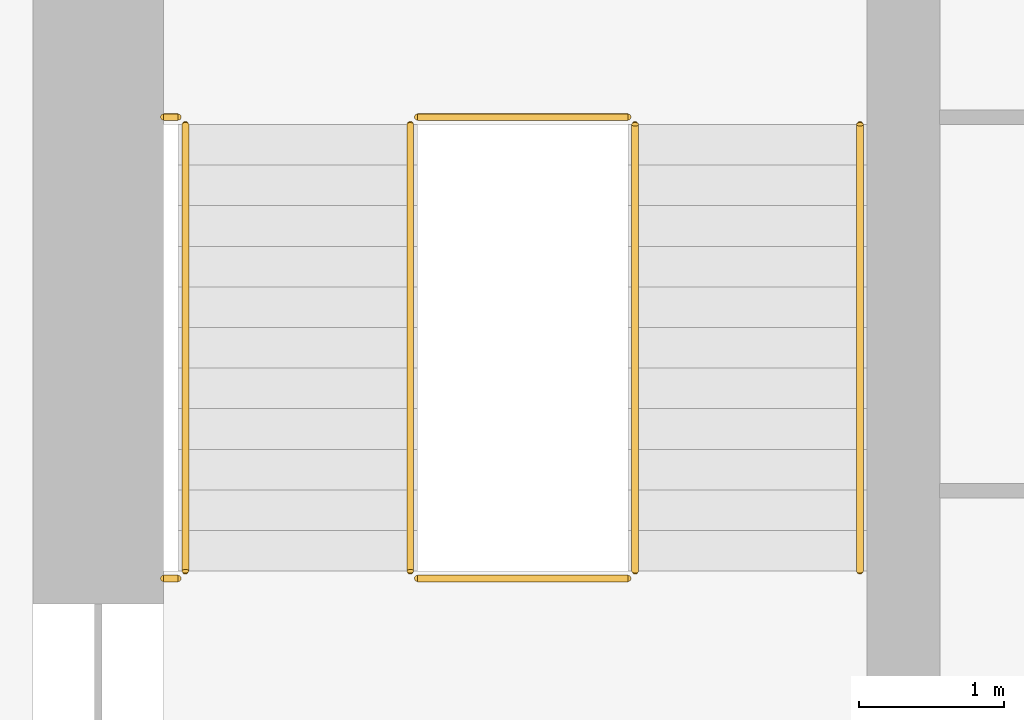
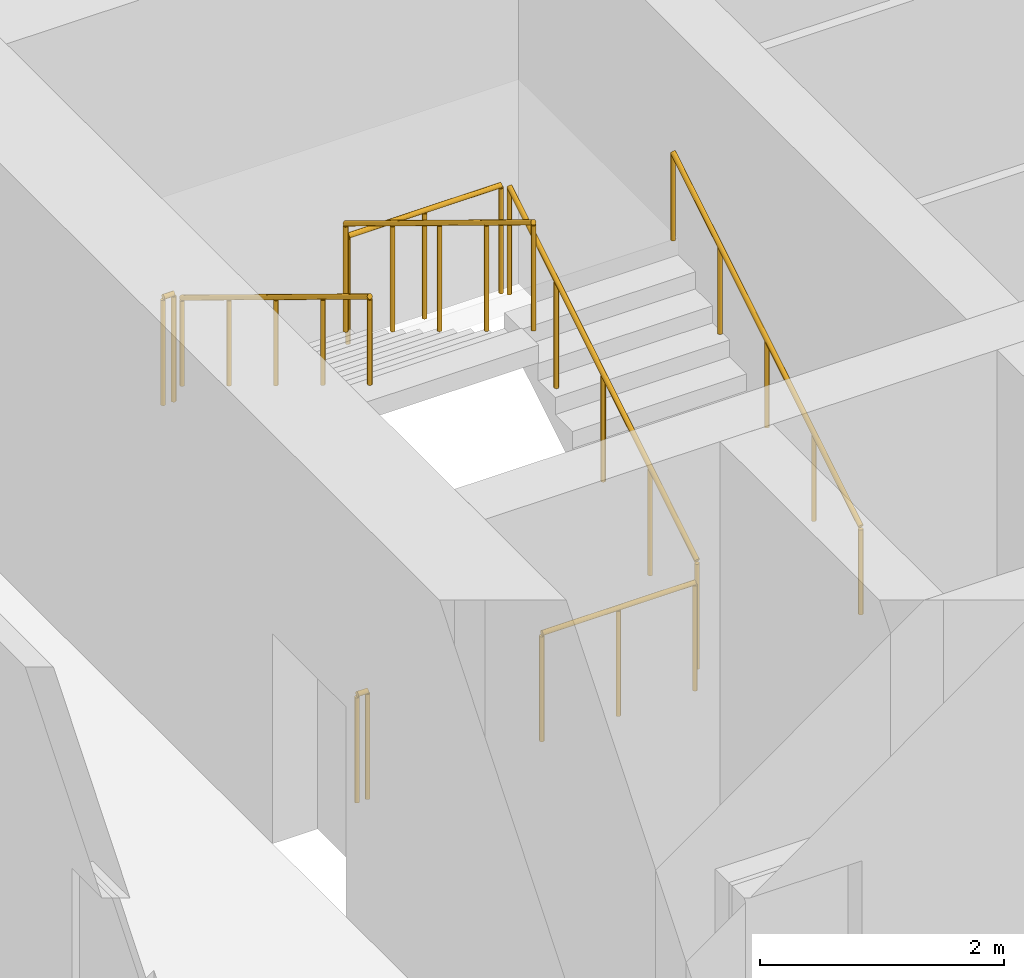
# One storey, part 13 of 16: 8 railings.
"""IFC4 building model written with IfcOpenShell, lengths in metres."""

from ifc_helpers import new_model, si_unit, direction, frame, origin, origin_2d, place, context, subcontext, project, spatial, circle, extrude, material, type_object, element, save


model = new_model("IFC4")

# Units and contexts
model_context = context("Model", 3, precision=1e-05, world=origin(), true_north=direction((0.0, 1.0)))
body_context = subcontext(model_context, "Body", "Model", "MODEL_VIEW")
ifc_project = project(units=[si_unit("LENGTHUNIT", "METRE"), si_unit("AREAUNIT", "SQUARE_METRE"), si_unit("VOLUMEUNIT", "CUBIC_METRE"), si_unit("PLANEANGLEUNIT", "RADIAN"), si_unit("MASSUNIT", "GRAM", prefix="KILO")], contexts=[model_context])

# Site, building, storey
site_placement = place(None, origin())
site = spatial("IfcSite", under=ifc_project, at=site_placement, CompositionType="ELEMENT")
building_placement = place(site_placement, origin())
building = spatial("IfcBuilding", under=site, at=building_placement, Name="Corbel Stack Research Tower", CompositionType="ELEMENT")
storey_placement = place(building_placement, frame((0.0, 0.0, 137.199951171875)))
storey = spatial("IfcBuildingStorey", under=building, at=storey_placement, Name="L31", CompositionType="ELEMENT", Elevation=137.199951171875)

# Railings
ifc_material_1 = material(Name="Steel S355", Category="steel")
railing_type_1 = type_object("IfcRailingType", Name="Stair guard 1100", PredefinedType="GUARDRAIL", material=ifc_material_1)
railing_1_placement = place(storey_placement, frame((-6.35009765625, 11.89990234375, 0.1708984375)))
element("IfcRailing", 1, at=railing_1_placement, inside=storey, type_object=railing_type_1, Name="L31 ST-W2 stair guard 1", PredefinedType="GUARDRAIL", context=body_context, shape_type="SweptSolid", body=[
    extrude(circle(Radius=0.02392578125, at=origin_2d()), frame((0.0, 0.0, 1.076171875), z_axis=(0.0, 0.853666305674, 0.52082035152), x_axis=(-1.0, 0.0, 0.0)), (0.0, 0.0, 1.0), 3.608154296875),
    extrude(circle(Radius=0.02099609375, at=origin_2d()), origin(), (0.0, 0.0, 1.0), 1.052001953125),
    extrude(circle(Radius=0.02099609375, at=origin_2d()), frame((0.0, 0.77001953125, 0.4697265625)), (0.0, 0.0, 1.0), 1.052001953125),
    extrude(circle(Radius=0.02099609375, at=origin_2d()), frame((0.0, 1.5400390625, 0.939453125)), (0.0, 0.0, 1.0), 1.052001953125),
    extrude(circle(Radius=0.02099609375, at=origin_2d()), frame((0.0, 2.31005859375, 1.409423828125)), (0.0, 0.0, 1.0), 1.052001953125),
    extrude(circle(Radius=0.02099609375, at=origin_2d()), frame((0.0, 3.080078125, 1.879150390625)), (0.0, 0.0, 1.0), 1.052001953125),
])
railing_2_placement = place(storey_placement, frame((-6.39990234375, 15.030029296875, 2.050048828125)))
element("IfcRailing", 2, at=railing_2_placement, inside=storey, type_object=railing_type_1, Name="L31 ST-W2 stair guard 2", PredefinedType="GUARDRAIL", context=body_context, shape_type="SweptSolid", body=[
    extrude(circle(Radius=0.02392578125, at=origin_2d()), frame((0.0, 0.0, 1.076171875), z_axis=(-1.0, 0.0, 0.0), x_axis=(0.0, -1.0, 0.0)), (0.0, 0.0, 1.0), 1.4501953125),
    extrude(circle(Radius=0.02099609375, at=origin_2d()), origin(), (0.0, 0.0, 1.0), 1.052001953125),
    extrude(circle(Radius=0.02099609375, at=origin_2d()), frame((-0.72509765625, 0.0, 0.0)), (0.0, 0.0, 1.0), 1.052001953125),
    extrude(circle(Radius=0.02099609375, at=origin_2d()), frame((-1.4501953125, 0.0, 0.0)), (0.0, 0.0, 1.0), 1.052001953125),
])
railing_3_placement = place(storey_placement, frame((-9.5, 15.030029296875, 2.050048828125)))
element("IfcRailing", 3, at=railing_3_placement, inside=storey, type_object=railing_type_1, Name="L31 ST-W2 stair guard 3", PredefinedType="GUARDRAIL", context=body_context, shape_type="SweptSolid", body=[
    extrude(circle(Radius=0.02392578125, at=origin_2d()), frame((0.0, 0.0, 1.076171875), z_axis=(-1.0, 0.0, 0.0), x_axis=(0.0, -1.0, 0.0)), (0.0, 0.0, 1.0), 0.10009765625),
    extrude(circle(Radius=0.02099609375, at=origin_2d()), origin(), (0.0, 0.0, 1.0), 1.052001953125),
    extrude(circle(Radius=0.02099609375, at=origin_2d()), frame((-0.10009765625, 0.0, 0.0)), (0.0, 0.0, 1.0), 1.052001953125),
])
railing_4_placement = place(storey_placement, frame((-7.89990234375, 14.97998046875, 2.220947265625)))
element("IfcRailing", 4, at=railing_4_placement, inside=storey, type_object=railing_type_1, Name="L31 ST-W2 stair guard 4", PredefinedType="GUARDRAIL", context=body_context, shape_type="SweptSolid", body=[
    extrude(circle(Radius=0.02392578125, at=origin_2d()), frame((0.0, 0.0, 1.076171875), z_axis=(0.0, -0.853666305674, 0.52082035152), x_axis=(1.0, 0.0, 0.0)), (0.0, 0.0, 1.0), 3.608154296875),
    extrude(circle(Radius=0.02099609375, at=origin_2d()), origin(), (0.0, 0.0, 1.0), 1.052001953125),
    extrude(circle(Radius=0.02099609375, at=origin_2d()), frame((0.0, -0.77001953125, 0.4697265625)), (0.0, 0.0, 1.0), 1.052001953125),
    extrude(circle(Radius=0.02099609375, at=origin_2d()), frame((0.0, -1.5400390625, 0.939453125)), (0.0, 0.0, 1.0), 1.052001953125),
    extrude(circle(Radius=0.02099609375, at=origin_2d()), frame((0.0, -2.31005859375, 1.409423828125)), (0.0, 0.0, 1.0), 1.052001953125),
    extrude(circle(Radius=0.02099609375, at=origin_2d()), frame((0.0, -3.080078125, 1.879150390625)), (0.0, 0.0, 1.0), 1.052001953125),
])
railing_5_placement = place(storey_placement, frame((-6.39990234375, 11.85009765625, 0.0)))
element("IfcRailing", 5, at=railing_5_placement, inside=storey, type_object=railing_type_1, Name="L31 ST-W2 stair guard 5", PredefinedType="GUARDRAIL", context=body_context, shape_type="SweptSolid", body=[
    extrude(circle(Radius=0.02392578125, at=origin_2d()), frame((0.0, 0.0, 1.076171875), z_axis=(-1.0, 0.0, 0.0), x_axis=(0.0, -1.0, 0.0)), (0.0, 0.0, 1.0), 1.4501953125),
    extrude(circle(Radius=0.02099609375, at=origin_2d()), origin(), (0.0, 0.0, 1.0), 1.052001953125),
    extrude(circle(Radius=0.02099609375, at=origin_2d()), frame((-0.72509765625, 0.0, 0.0)), (0.0, 0.0, 1.0), 1.052001953125),
    extrude(circle(Radius=0.02099609375, at=origin_2d()), frame((-1.4501953125, 0.0, 0.0)), (0.0, 0.0, 1.0), 1.052001953125),
])
railing_6_placement = place(storey_placement, frame((-9.5, 11.85009765625, 0.0)))
element("IfcRailing", 6, at=railing_6_placement, inside=storey, type_object=railing_type_1, Name="L31 ST-W2 stair guard 6", PredefinedType="GUARDRAIL", context=body_context, shape_type="SweptSolid", body=[
    extrude(circle(Radius=0.02392578125, at=origin_2d()), frame((0.0, 0.0, 1.076171875), z_axis=(-1.0, 0.0, 0.0), x_axis=(0.0, -1.0, 0.0)), (0.0, 0.0, 1.0), 0.10009765625),
    extrude(circle(Radius=0.02099609375, at=origin_2d()), origin(), (0.0, 0.0, 1.0), 1.052001953125),
    extrude(circle(Radius=0.02099609375, at=origin_2d()), frame((-0.10009765625, 0.0, 0.0)), (0.0, 0.0, 1.0), 1.052001953125),
])
ifc_material_2 = material(Name="Steel S355", Category="steel")
railing_type_2 = type_object("IfcRailingType", Name="Stair handrail 900", PredefinedType="HANDRAIL", material=ifc_material_2)
railing_7_placement = place(storey_placement, frame((-4.800048828125, 11.89990234375, 0.1708984375)))
element("IfcRailing", 7, at=railing_7_placement, inside=storey, type_object=railing_type_2, Name="L31 ST-W2 stair handrail 1", PredefinedType="HANDRAIL", context=body_context, shape_type="SweptSolid", body=[
    extrude(circle(Radius=0.02392578125, at=origin_2d()), frame((0.0, 0.0, 0.8759765625), z_axis=(0.0, 0.853666305674, 0.52082035152), x_axis=(-1.0, 0.0, 0.0)), (0.0, 0.0, 1.0), 3.608154296875),
    extrude(circle(Radius=0.02099609375, at=origin_2d()), origin(), (0.0, 0.0, 1.0), 0.851806640625),
    extrude(circle(Radius=0.02099609375, at=origin_2d()), frame((0.0, 0.77001953125, 0.4697265625)), (0.0, 0.0, 1.0), 0.851806640625),
    extrude(circle(Radius=0.02099609375, at=origin_2d()), frame((0.0, 1.5400390625, 0.939453125)), (0.0, 0.0, 1.0), 0.851806640625),
    extrude(circle(Radius=0.02099609375, at=origin_2d()), frame((0.0, 2.31005859375, 1.409423828125)), (0.0, 0.0, 1.0), 0.851806640625),
    extrude(circle(Radius=0.02099609375, at=origin_2d()), frame((0.0, 3.080078125, 1.879150390625)), (0.0, 0.0, 1.0), 0.851806640625),
])
railing_8_placement = place(storey_placement, frame((-9.449951171875, 14.97998046875, 2.220947265625)))
element("IfcRailing", 8, at=railing_8_placement, inside=storey, type_object=railing_type_2, Name="L31 ST-W2 stair handrail 2", PredefinedType="HANDRAIL", context=body_context, shape_type="SweptSolid", body=[
    extrude(circle(Radius=0.02392578125, at=origin_2d()), frame((0.0, 0.0, 0.8759765625), z_axis=(0.0, -0.853666305674, 0.52082035152), x_axis=(1.0, 0.0, 0.0)), (0.0, 0.0, 1.0), 3.608154296875),
    extrude(circle(Radius=0.02099609375, at=origin_2d()), origin(), (0.0, 0.0, 1.0), 0.851806640625),
    extrude(circle(Radius=0.02099609375, at=origin_2d()), frame((0.0, -0.77001953125, 0.4697265625)), (0.0, 0.0, 1.0), 0.851806640625),
    extrude(circle(Radius=0.02099609375, at=origin_2d()), frame((0.0, -1.5400390625, 0.939453125)), (0.0, 0.0, 1.0), 0.851806640625),
    extrude(circle(Radius=0.02099609375, at=origin_2d()), frame((0.0, -2.31005859375, 1.409423828125)), (0.0, 0.0, 1.0), 0.851806640625),
    extrude(circle(Radius=0.02099609375, at=origin_2d()), frame((0.0, -3.080078125, 1.879150390625)), (0.0, 0.0, 1.0), 0.851806640625),
])

save(model, "model.ifc")
